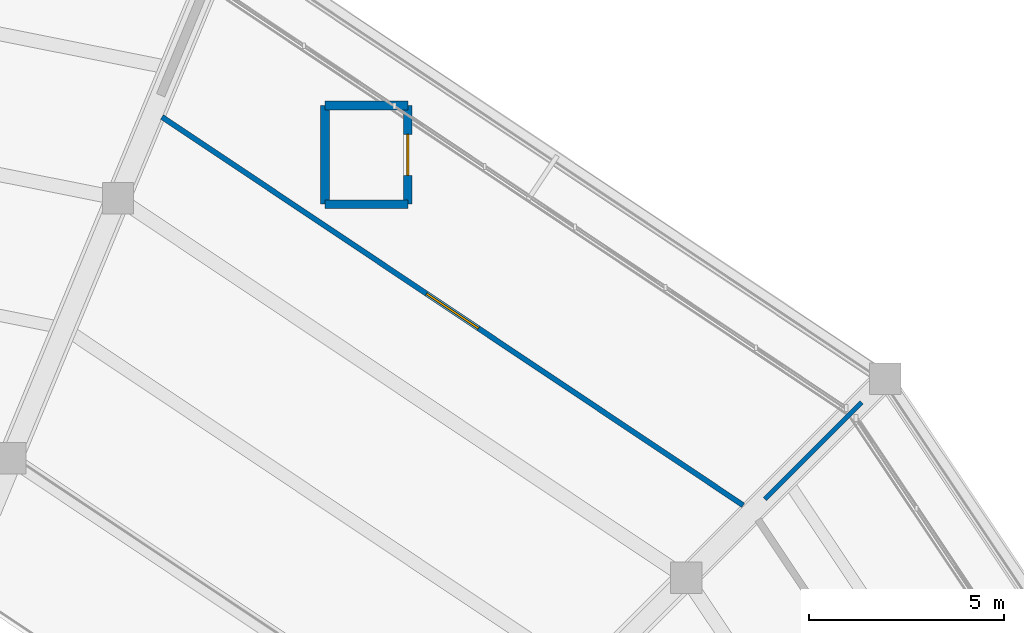
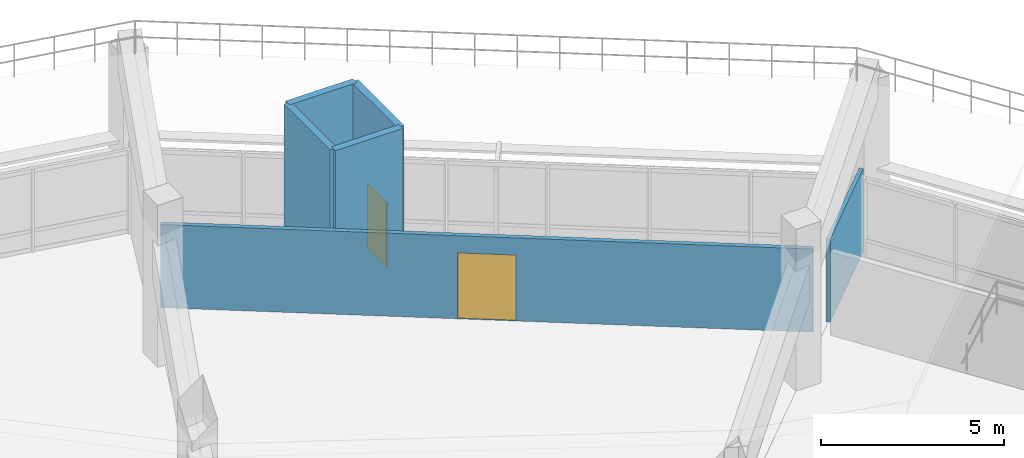
# One storey, part 68 of 96: 6 walls, 2 doors, 2 openings.
"""IFC4 building model written with IfcOpenShell, lengths in metres."""

from ifc_helpers import new_model, si_unit, direction, frame, frame_2d, origin, place, context, subcontext, project, spatial, rectangle, extrude, material, layer, layer_set, type_object, element, fill, save


model = new_model("IFC4")

# Units and contexts
model_context = context("Model", 3, precision=1e-05, world=origin(), true_north=direction((0.0, 1.0)))
body_context = subcontext(model_context, "Body", "Model", "MODEL_VIEW")
ifc_project = project(units=[si_unit("LENGTHUNIT", "METRE"), si_unit("AREAUNIT", "SQUARE_METRE"), si_unit("VOLUMEUNIT", "CUBIC_METRE"), si_unit("PLANEANGLEUNIT", "RADIAN"), si_unit("MASSUNIT", "GRAM", prefix="KILO")], contexts=[model_context])

# Site, building, storey
site_placement = place(None, origin())
site = spatial("IfcSite", under=ifc_project, at=site_placement, CompositionType="ELEMENT")
building_placement = place(site_placement, origin())
building = spatial("IfcBuilding", under=site, at=building_placement, Name="Candeia Ridge Stadium", CompositionType="ELEMENT")
storey_placement = place(building_placement, frame((0.0, 0.0, 21.60009765625)))
storey = spatial("IfcBuildingStorey", under=building, at=storey_placement, Name="L04", CompositionType="ELEMENT", Elevation=21.60009765625)

# Wall, opening, door
ifc_material_1 = material(Name="Gypsum Metal-Stud Partition", Category="gypsum")
ifc_layer_1 = layer(ifc_material_1, 0.135009765625, Name="Gypsum Metal-Stud Partition", Category="gypsum")
ifc_layer_set_1 = layer_set([ifc_layer_1], Name="Gypsum Metal-Stud Partition")
wall_type_1 = type_object("IfcWallType", Name="General Room Partition 135", PredefinedType="PARTITIONING", material=ifc_layer_set_1)
wall_1_placement = place(storey_placement, frame((174.13427734375, 128.53662109375, 0.0), z_axis=(0.0, 0.0, 1.0), x_axis=(-0.831469939309, 0.55556974362, 0.0)))
wall_1 = element("IfcWall", 1, at=wall_1_placement, inside=storey, type_object=wall_type_1, Name="Interior partition PT-L04-0674", PredefinedType="PARTITIONING", context=body_context, shape_type="SweptSolid", body=[
    extrude(rectangle(XDim=17.87646484375, YDim=0.135009765625, at=frame_2d((8.938232421875, 0.0))), origin(), (0.0, 0.0, 1.0), 2.772216796875),
])
opening_1_placement = place(wall_1_placement, frame((8.13818359375, 0.0, 0.0)))
opening_1 = element("IfcOpeningElement", 2, at=opening_1_placement, cuts=wall_1, Name="Opening ID03", PredefinedType="OPENING", context=body_context, shape_type="SweptSolid", body=[
    extrude(rectangle(XDim=1.60009765625, YDim=2.199951171875, at=frame_2d((0.800048828125, 1.10009765625))), frame((0.0, 0.077392578125, 0.0), z_axis=(0.0, -1.0, 0.0), x_axis=(1.0, 0.0, 0.0)), (0.0, 0.0, 1.0), 0.155029296875),
])
ifc_material_2 = material(Name="Solid Core Hardwood Veneer", Category="wood")
door_type_1 = type_object("IfcDoorType", Name="Athlete Dressing Double Door 1600x2200", OperationType="NOTDEFINED", PredefinedType="DOOR", material=ifc_material_2)
door_1_placement = place(opening_1_placement, origin())
door_1 = element("IfcDoor", 3, at=door_1_placement, inside=storey, type_object=door_type_1, Name="Interior room door D-L04-0346", OperationType="DOUBLE_DOOR_SINGLE_SWING", OverallHeight=2.199951171875, OverallWidth=1.60009765625, PredefinedType="DOOR", context=body_context, shape_type="SweptSolid", body=[
    extrude(rectangle(XDim=1.60009765625, YDim=2.199951171875, at=frame_2d((0.800048828125, 1.10009765625))), frame((0.0, 0.02490234375, 0.0), z_axis=(0.0, -1.0, 0.0), x_axis=(1.0, 0.0, 0.0)), (0.0, 0.0, 1.0), 0.050048828125),
])
fill(opening_1, door_1)

# Wall
ifc_material_3 = material(Name="Concrete C40/50", Category="concrete")
ifc_layer_2 = layer(ifc_material_3, 0.219970703125, Name="Concrete C40/50", Category="concrete")
ifc_layer_set_2 = layer_set([ifc_layer_2], Name="Concrete C40/50")
wall_type_2 = type_object("IfcWallType", Name="Lift & Riser Shaft Wall 220", PredefinedType="SHEAR", material=ifc_layer_set_2)
wall_2_placement = place(storey_placement, frame((163.43994140625, 136.239990234375, 0.0), z_axis=(0.0, 0.0, 1.0), x_axis=(1.0, 0.0, 0.0)))
element("IfcWall", 4, at=wall_2_placement, inside=storey, type_object=wall_type_2, Name="Lift EL2 shaft wall L04 south", PredefinedType="SHEAR", context=body_context, shape_type="SweptSolid", body=[
    extrude(rectangle(XDim=2.1201171875, YDim=0.219970703125, at=frame_2d((1.06005859375, 0.0))), origin(), (0.0, 0.0, 1.0), 5.14990234375),
])

# Wall, opening, door
wall_3_placement = place(storey_placement, frame((165.56005859375, 136.239990234375, 0.0), z_axis=(0.0, 0.0, 1.0), x_axis=(0.0, 1.0, 0.0)))
wall_3 = element("IfcWall", 5, at=wall_3_placement, inside=storey, type_object=wall_type_2, Name="Lift EL2 shaft wall L04 east", PredefinedType="SHEAR", context=body_context, shape_type="SweptSolid", body=[
    extrude(rectangle(XDim=2.52001953125, YDim=0.219970703125, at=frame_2d((1.260009765625, 0.0))), origin(), (0.0, 0.0, 1.0), 5.14990234375),
])
opening_2_placement = place(wall_3_placement, frame((0.735107421875, 0.0, 0.0)))
opening_2 = element("IfcOpeningElement", 6, at=opening_2_placement, cuts=wall_3, Name="Opening LD02", PredefinedType="OPENING", context=body_context, shape_type="SweptSolid", body=[
    extrude(rectangle(XDim=1.050048828125, YDim=2.14990234375, at=frame_2d((0.52490234375, 1.074951171875))), frame((0.0, 0.119873046875, 0.0), z_axis=(0.0, -1.0, 0.0), x_axis=(1.0, 0.0, 0.0)), (0.0, 0.0, 1.0), 0.239990234375),
])
ifc_material_4 = material(Name="Brushed Stainless Steel", Category="steel")
door_type_2 = type_object("IfcDoorType", Name="Passenger Lift Landing Door 1050x2150", OperationType="NOTDEFINED", PredefinedType="DOOR", material=ifc_material_4)
door_2_placement = place(opening_2_placement, origin())
door_2 = element("IfcDoor", 7, at=door_2_placement, inside=storey, type_object=door_type_2, Name="Lift landing sliding door LD-EL2-L04", OperationType="DOUBLE_DOOR_SLIDING", OverallHeight=2.14990234375, OverallWidth=1.050048828125, PredefinedType="DOOR", context=body_context, shape_type="SweptSolid", body=[
    extrude(rectangle(XDim=1.050048828125, YDim=2.14990234375, at=frame_2d((0.52490234375, 1.074951171875))), frame((0.0, 0.02490234375, 0.0), z_axis=(0.0, -1.0, 0.0), x_axis=(1.0, 0.0, 0.0)), (0.0, 0.0, 1.0), 0.050048828125),
])
fill(opening_2, door_2)

# Walls
wall_4_placement = place(storey_placement, frame((165.56005859375, 138.760009765625, 0.0), z_axis=(0.0, 0.0, 1.0), x_axis=(-1.0, 0.0, 0.0)))
element("IfcWall", 8, at=wall_4_placement, inside=storey, type_object=wall_type_2, Name="Lift EL2 shaft wall L04 north", PredefinedType="SHEAR", context=body_context, shape_type="SweptSolid", body=[
    extrude(rectangle(XDim=2.1201171875, YDim=0.219970703125, at=frame_2d((1.06005859375, 0.0))), origin(), (0.0, 0.0, 1.0), 5.14990234375),
])
wall_5_placement = place(storey_placement, frame((163.43994140625, 138.760009765625, 0.0), z_axis=(0.0, 0.0, 1.0), x_axis=(0.0, -1.0, 0.0)))
element("IfcWall", 9, at=wall_5_placement, inside=storey, type_object=wall_type_2, Name="Lift EL2 shaft wall L04 west", PredefinedType="SHEAR", context=body_context, shape_type="SweptSolid", body=[
    extrude(rectangle(XDim=2.52001953125, YDim=0.219970703125, at=frame_2d((1.260009765625, 0.0))), origin(), (0.0, 0.0, 1.0), 5.14990234375),
])
ifc_layer_3 = layer(ifc_material_1, 0.1201171875, Name="Gypsum Metal-Stud Partition", Category="gypsum")
ifc_layer_set_3 = layer_set([ifc_layer_3], Name="Gypsum Metal-Stud Partition")
wall_type_3 = type_object("IfcWallType", Name="Suite Internal Divider 120", PredefinedType="PARTITIONING", material=ifc_layer_set_3)
wall_6_placement = place(storey_placement, frame((174.693603515625, 128.693603515625, 0.0), z_axis=(0.0, 0.0, 1.0), x_axis=(0.707106781187, 0.707106781187, 0.0)))
element("IfcWall", 10, at=wall_6_placement, inside=storey, type_object=wall_type_3, Name="Demising partition PT-L04-0673", PredefinedType="PARTITIONING", context=body_context, shape_type="SweptSolid", body=[
    extrude(rectangle(XDim=3.5, YDim=0.1201171875, at=frame_2d((1.75, 0.0))), origin(), (0.0, 0.0, 1.0), 2.772216796875),
])

save(model, "model.ifc")
